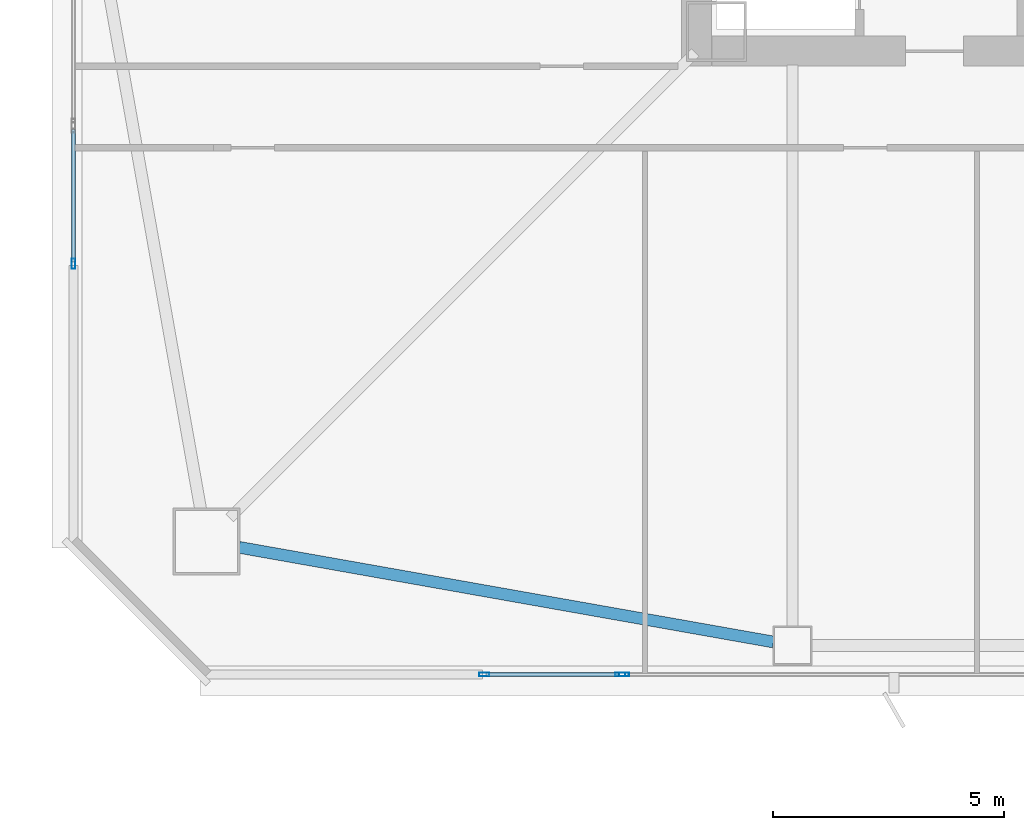
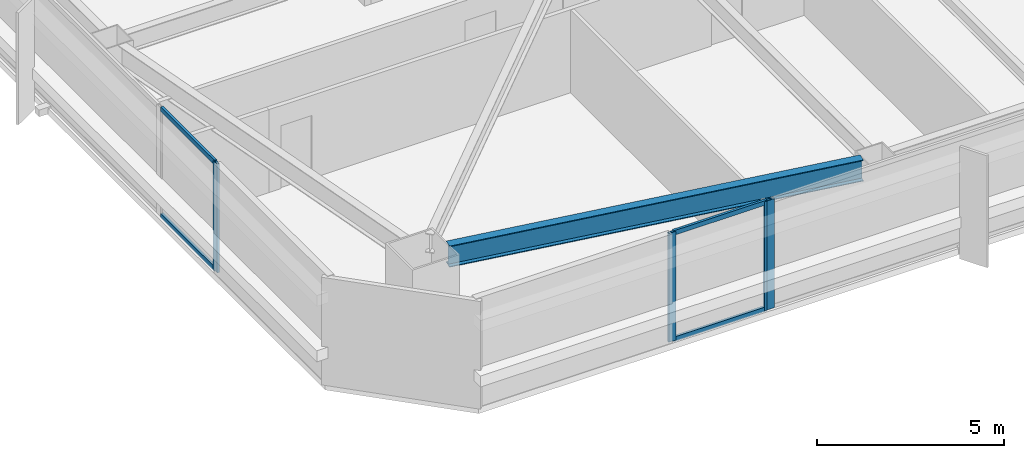
# One storey, part 3 of 49: 8 members, 1 beam, 3 elements without a shape of their own.
"""IFC4 building model written with IfcOpenShell, lengths in metres."""

from ifc_helpers import new_model, si_unit, direction, frame, origin, origin_2d, place, context, subcontext, project, spatial, hollow_rectangle, i_section, extrude, material, material_profile, profile_set, type_object, element, aggregate, save


model = new_model("IFC4")

# Units and contexts
model_context = context("Model", 3, precision=1e-05, world=origin(), true_north=direction((0.0, 1.0)))
body_context = subcontext(model_context, "Body", "Model", "MODEL_VIEW")
ifc_project = project(units=[si_unit("LENGTHUNIT", "METRE"), si_unit("AREAUNIT", "SQUARE_METRE"), si_unit("VOLUMEUNIT", "CUBIC_METRE"), si_unit("PLANEANGLEUNIT", "RADIAN"), si_unit("MASSUNIT", "GRAM", prefix="KILO")], contexts=[model_context])

# Site, building, storey
site_placement = place(None, origin())
site = spatial("IfcSite", under=ifc_project, at=site_placement, CompositionType="ELEMENT")
building_placement = place(site_placement, origin())
building = spatial("IfcBuilding", under=site, at=building_placement, Name="Tashvorn Skyway Center", CompositionType="ELEMENT")
storey_placement = place(building_placement, frame((0.0, 0.0, 70.75)))
storey = spatial("IfcBuildingStorey", under=building, at=storey_placement, Name="L18", CompositionType="ELEMENT", Elevation=70.75)

# Beam
ifc_material_1 = material(Name="Steel ASTM A992 Grade 50", Category="steel")
ifc_material_profile_1 = material_profile(ifc_material_1, i_section(OverallWidth=0.256103515625, OverallDepth=0.693115234375, WebThickness=0.014404296875, FlangeThickness=0.023681640625, at=origin_2d()), Name="W27X114")
ifc_profile_set_1 = profile_set([ifc_material_profile_1], Name="Steel ASTM A992 Grade 50")
beam_type = type_object("IfcBeamType", Name="BM-SPANDREL-W27X114", PredefinedType="SPANDREL", material=ifc_profile_set_1)
beam_placement = place(storey_placement, frame((24.60888671875, 13.7744140625, 3.00341796875), z_axis=(0.98466816531, -0.174437966698, 0.0), x_axis=(0.174437966698, 0.98466816531, 0.0)))
element("IfcBeam", 1, at=beam_placement, inside=storey, type_object=beam_type, Name="Tower 1 L18 Spandrel Beam 01", PredefinedType="SPANDREL", context=body_context, shape_type="SweptSolid", body=[
    extrude(i_section(OverallWidth=0.256103515625, OverallDepth=0.693115234375, WebThickness=0.014404296875, FlangeThickness=0.023681640625, at=origin_2d()), origin(), (0.0, 0.0, 1.0), 11.7578125),
])

# Curtain wall, member
ifc_material_2 = material(Name="Thermally broken bronze-anodized aluminium 6063-T6", Category="aluminium")
curtain_wall_type = type_object("IfcCurtainWallType", Name="CW-CW-Z2", PredefinedType="NOTDEFINED", material=ifc_material_2)
curtain_wall_1_placement = place(storey_placement, origin())
curtain_wall_1 = element("IfcCurtainWall", 2, at=curtain_wall_1_placement, inside=storey, type_object=curtain_wall_type, Name="Tower 1 L18 South Unitised Curtain Wall Glazing Group 2", PredefinedType="NOTDEFINED")
ifc_material_profile_2 = material_profile(ifc_material_2, hollow_rectangle(XDim=0.080078125, YDim=0.219970703125, WallThickness=0.0048828125, at=origin_2d()), Name="ALU-MULL-80x220")
ifc_profile_set_2 = profile_set([ifc_material_profile_2], Name="Thermally broken bronze-anodized aluminium 6063-T6")
member_type_1 = type_object("IfcMemberType", Name="CWM-CW-Z2", PredefinedType="MULLION", material=ifc_profile_set_2)
member_1_placement = place(storey_placement, frame((32.949951171875, 11.02001953125, 0.0), z_axis=(0.0, 0.0, 1.0), x_axis=(0.0, -1.0, 0.0)))
member_1 = element("IfcMember", 3, at=member_1_placement, type_object=member_type_1, Name="CW-Z2 mullion 3", PredefinedType="MULLION", context=body_context, shape_type="SweptSolid", body=[
    extrude(hollow_rectangle(XDim=0.080078125, YDim=0.219970703125, WallThickness=0.0048828125, at=origin_2d()), origin(), (0.0, 0.0, 1.0), 3.550048828125),
])
aggregate(curtain_wall_1, [member_1])

# Curtain wall, members
curtain_wall_2_placement = place(storey_placement, origin())
curtain_wall_2 = element("IfcCurtainWall", 4, at=curtain_wall_2_placement, inside=storey, type_object=curtain_wall_type, Name="Tower 1 L18 South Unitised Curtain Wall Glazing Group 3", PredefinedType="NOTDEFINED")
member_2_placement = place(storey_placement, frame((32.8701171875, 11.02001953125, 0.0), z_axis=(0.0, 0.0, 1.0), x_axis=(0.0, -1.0, 0.0)))
member_2 = element("IfcMember", 5, at=member_2_placement, type_object=member_type_1, Name="CW-Z2 mullion 1", PredefinedType="MULLION", context=body_context, shape_type="SweptSolid", body=[
    extrude(hollow_rectangle(XDim=0.080078125, YDim=0.219970703125, WallThickness=0.0048828125, at=origin_2d()), origin(), (0.0, 0.0, 1.0), 3.550048828125),
])
member_3_placement = place(storey_placement, frame((29.919921875, 11.02001953125, 0.0), z_axis=(0.0, 0.0, 1.0), x_axis=(0.0, -1.0, 0.0)))
member_3 = element("IfcMember", 6, at=member_3_placement, type_object=member_type_1, Name="CW-Z2 mullion 2", PredefinedType="MULLION", context=body_context, shape_type="SweptSolid", body=[
    extrude(hollow_rectangle(XDim=0.080078125, YDim=0.219970703125, WallThickness=0.0048828125, at=origin_2d()), origin(), (0.0, 0.0, 1.0), 3.550048828125),
])

# Curtain wall, member
curtain_wall_3_placement = place(storey_placement, origin())
curtain_wall_3 = element("IfcCurtainWall", 7, at=curtain_wall_3_placement, inside=storey, type_object=curtain_wall_type, Name="Tower 1 L18 West Unitised Curtain Wall Glazing Group 1", PredefinedType="NOTDEFINED")
member_4_placement = place(storey_placement, frame((21.02001953125, 19.919921875, 0.0), z_axis=(0.0, 0.0, 1.0), x_axis=(-1.0, 0.0, 0.0)))
member_4 = element("IfcMember", 8, at=member_4_placement, type_object=member_type_1, Name="CW-Z2 mullion 1", PredefinedType="MULLION", context=body_context, shape_type="SweptSolid", body=[
    extrude(hollow_rectangle(XDim=0.080078125, YDim=0.219970703125, WallThickness=0.0048828125, at=origin_2d()), origin(), (0.0, 0.0, 1.0), 3.550048828125),
])

# Member
ifc_material_profile_3 = material_profile(ifc_material_2, hollow_rectangle(XDim=0.080078125, YDim=0.14990234375, WallThickness=0.00439453125, at=origin_2d()), Name="ALU-TRAN-80x150")
ifc_profile_set_3 = profile_set([ifc_material_profile_3], Name="Thermally broken bronze-anodized aluminium 6063-T6")
member_type_2 = type_object("IfcMemberType", Name="CWT-CW-Z2", PredefinedType="USERDEFINED", material=ifc_profile_set_3)
member_5_placement = place(storey_placement, frame((32.830078125, 11.02001953125, 0.0400390625), z_axis=(-1.0, 0.0, 0.0), x_axis=(0.0, -1.0, 0.0)))
member_5 = element("IfcMember", 9, at=member_5_placement, type_object=member_type_2, Name="CW-Z2 transom 1.1", ObjectType="TRANSOM", PredefinedType="USERDEFINED", context=body_context, shape_type="SweptSolid", body=[
    extrude(hollow_rectangle(XDim=0.080078125, YDim=0.14990234375, WallThickness=0.00439453125, at=origin_2d()), origin(), (0.0, 0.0, 1.0), 2.8701171875),
])

member_6_placement = place(storey_placement, frame((32.830078125, 11.02001953125, 3.510009765625), z_axis=(-1.0, 0.0, 0.0), x_axis=(0.0, -1.0, 0.0)))
member_6 = element("IfcMember", 10, at=member_6_placement, type_object=member_type_2, Name="CW-Z2 transom 1.2", ObjectType="TRANSOM", PredefinedType="USERDEFINED", context=body_context, shape_type="SweptSolid", body=[
    extrude(hollow_rectangle(XDim=0.080078125, YDim=0.14990234375, WallThickness=0.00439453125, at=origin_2d()), origin(), (0.0, 0.0, 1.0), 2.8701171875),
])

aggregate(curtain_wall_2, [member_2, member_3, member_5, member_6])

member_7_placement = place(storey_placement, frame((21.02001953125, 19.9599609375, 0.0400390625), z_axis=(0.0, 1.0, 0.0), x_axis=(-1.0, 0.0, 0.0)))
member_7 = element("IfcMember", 11, at=member_7_placement, type_object=member_type_2, Name="CW-Z2 transom 1.1", ObjectType="TRANSOM", PredefinedType="USERDEFINED", context=body_context, shape_type="SweptSolid", body=[
    extrude(hollow_rectangle(XDim=0.080078125, YDim=0.14990234375, WallThickness=0.00439453125, at=origin_2d()), origin(), (0.0, 0.0, 1.0), 2.8701171875),
])

member_8_placement = place(storey_placement, frame((21.02001953125, 19.9599609375, 3.510009765625), z_axis=(0.0, 1.0, 0.0), x_axis=(-1.0, 0.0, 0.0)))
member_8 = element("IfcMember", 12, at=member_8_placement, type_object=member_type_2, Name="CW-Z2 transom 1.2", ObjectType="TRANSOM", PredefinedType="USERDEFINED", context=body_context, shape_type="SweptSolid", body=[
    extrude(hollow_rectangle(XDim=0.080078125, YDim=0.14990234375, WallThickness=0.00439453125, at=origin_2d()), origin(), (0.0, 0.0, 1.0), 2.8701171875),
])

aggregate(curtain_wall_3, [member_4, member_7, member_8])

save(model, "model.ifc")
